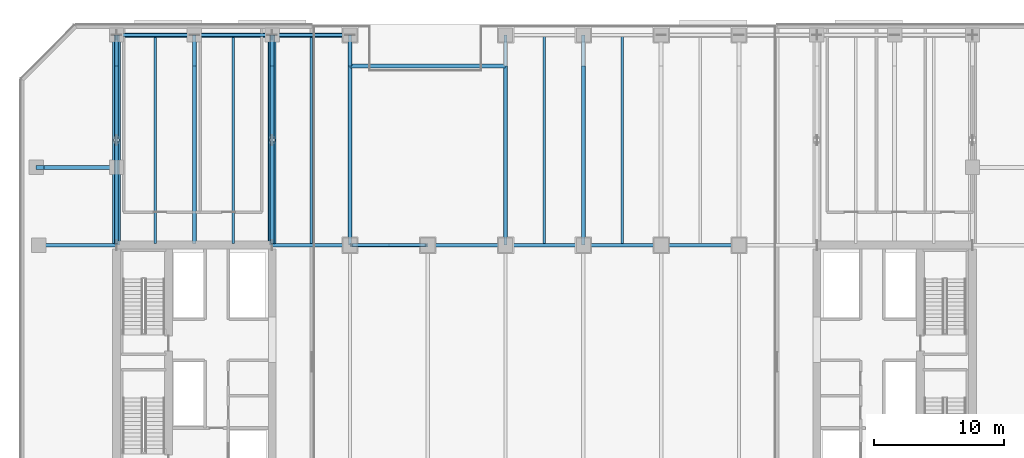
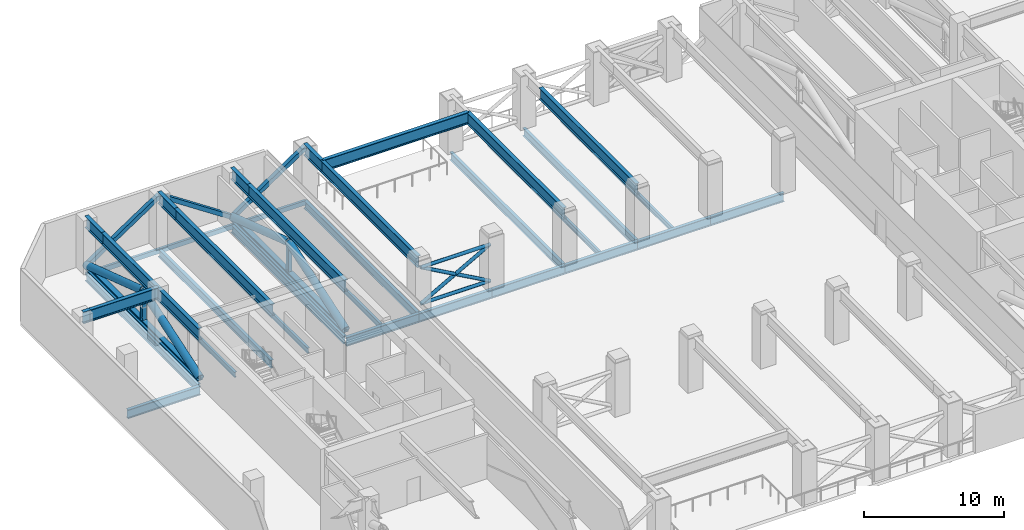
# One storey, part 4 of 22: 34 beams, 15 members.
"""IFC4 building model written with IfcOpenShell, lengths in metres."""

from ifc_helpers import new_model, si_unit, direction, frame, origin, origin_2d, place, context, subcontext, project, spatial, hollow_rectangle, hollow_circle, i_section, extrude, material, material_profile, profile_set, type_object, element, save


model = new_model("IFC4")

# Units and contexts
model_context = context("Model", 3, precision=1e-05, world=origin(), true_north=direction((0.0, 1.0)))
body_context = subcontext(model_context, "Body", "Model", "MODEL_VIEW")
ifc_project = project(units=[si_unit("LENGTHUNIT", "METRE"), si_unit("AREAUNIT", "SQUARE_METRE"), si_unit("VOLUMEUNIT", "CUBIC_METRE"), si_unit("PLANEANGLEUNIT", "RADIAN"), si_unit("MASSUNIT", "GRAM", prefix="KILO")], contexts=[model_context])

# Site, building, storey
site_placement = place(None, origin())
site = spatial("IfcSite", under=ifc_project, at=site_placement, CompositionType="ELEMENT")
building_placement = place(site_placement, origin())
building = spatial("IfcBuilding", under=site, at=building_placement, Name="Tanjung Sevakor Pilgrim Tower", CompositionType="ELEMENT")
storey_placement = place(building_placement, frame((0.0, 0.0, 73.260009765625)))
storey = spatial("IfcBuildingStorey", under=building, at=storey_placement, Name="L20", CompositionType="ELEMENT", Elevation=73.260009765625)

# Beams
ifc_material_1 = material(Name="Steel S355J2", Category="steel")
ifc_material_profile_1 = material_profile(ifc_material_1, i_section(OverallWidth=0.26806640625, OverallDepth=0.769775390625, WebThickness=0.015625, FlangeThickness=0.025390625, FilletRadius=0.0166015625, at=origin_2d()))
ifc_profile_set_1 = profile_set([ifc_material_profile_1], Name="Steel S355J2")
beam_type_1 = type_object("IfcBeamType", Name="BM-B-G1-UB_762x267x197", PredefinedType="BEAM", material=ifc_profile_set_1)
for number, where, z_axis, x_axis, name in (
    (1, (18.0, 42.60009765625, -0.664794921875), (1.0, 0.0, 0.0), (0.0, 1.0, 0.0), "L20 Primary Floor Girder MAIN Y426-01"),
    (2, (36.0, 42.60009765625, -0.664794921875), (1.0, 0.0, 0.0), (0.0, 1.0, 0.0), "L20 Primary Floor Girder MAIN Y426-02"),
    (3, (42.0, 42.60009765625, -0.664794921875), (1.0, 0.0, 0.0), (0.0, 1.0, 0.0), "L20 Primary Floor Girder MAIN Y426-03"),
    (4, (48.0, 42.60009765625, -0.664794921875), (1.0, 0.0, 0.0), (0.0, 1.0, 0.0), "L20 Primary Floor Girder MAIN Y426-04"),
    (5, (54.0, 42.60009765625, -0.664794921875), (1.0, 0.0, 0.0), (0.0, 1.0, 0.0), "L20 Primary Floor Girder MAIN Y426-05"),
    (6, (60.0, 42.60009765625, -0.664794921875), (1.0, 0.0, 0.0), (0.0, 1.0, 0.0), "L20 Primary Floor Girder MAIN Y426-06"),
    (7, (66.0, 42.60009765625, -0.664794921875), (1.0, 0.0, 0.0), (0.0, 1.0, 0.0), "L20 Primary Floor Girder MAIN Y426-07"),
):
    element("IfcBeam", number, at=place(storey_placement, frame(where, z_axis=z_axis, x_axis=x_axis)), inside=storey, type_object=beam_type_1, Name=name, PredefinedType="BEAM", context=body_context, shape_type="SweptSolid", body=[
        extrude(i_section(OverallWidth=0.26806640625, OverallDepth=0.769775390625, WebThickness=0.015625, FlangeThickness=0.025390625, FilletRadius=0.0166015625, at=origin_2d()), origin(), (0.0, 0.0, 1.0), 6.0),
    ])
ifc_material_2 = material(Name="Steel S355J2", Category="steel")
ifc_material_profile_2 = material_profile(ifc_material_2, i_section(OverallWidth=0.25439453125, OverallDepth=0.6875, WebThickness=0.01318359375, FlangeThickness=0.02099609375, FilletRadius=0.01513671875, at=origin_2d()))
ifc_profile_set_2 = profile_set([ifc_material_profile_2], Name="Steel S355J2")
beam_type_2 = type_object("IfcBeamType", Name="BM-B-G2-UB_686x254x152", PredefinedType="BEAM", material=ifc_profile_set_2)
for number, where, z_axis, x_axis, name in (
    (8, (24.0, 42.73388671875, -0.623779296875), (0.0, 1.0, 0.0), (-1.0, 0.0, 0.0), "L20 MAIN Girder 002"),
    (9, (30.0, 42.73388671875, -0.623779296875), (0.0, 1.0, 0.0), (-1.0, 0.0, 0.0), "L20 MAIN Girder 006"),
    (10, (36.0, 42.73388671875, -0.623779296875), (0.0, 1.0, 0.0), (-1.0, 0.0, 0.0), "L20 MAIN Girder 010"),
):
    element("IfcBeam", number, at=place(storey_placement, frame(where, z_axis=z_axis, x_axis=x_axis)), inside=storey, type_object=beam_type_2, Name=name, PredefinedType="BEAM", context=body_context, shape_type="SweptSolid", body=[
        extrude(i_section(OverallWidth=0.25439453125, OverallDepth=0.6875, WebThickness=0.01318359375, FlangeThickness=0.02099609375, FilletRadius=0.01513671875, at=origin_2d()), origin(), (0.0, 0.0, 1.0), 16.066162109375),
    ])
for number, where, z_axis, x_axis, name in (
    (11, (42.0, 42.60009765625, -0.623779296875), (0.0, 1.0, 0.0), (-1.0, 0.0, 0.0), "L20 MAIN Girder 015"),
    (12, (54.0, 42.60009765625, -0.623779296875), (0.0, 1.0, 0.0), (-1.0, 0.0, 0.0), "L20 MAIN Girder 019"),
    (13, (60.0, 42.60009765625, -0.623779296875), (0.0, 1.0, 0.0), (-1.0, 0.0, 0.0), "L20 MAIN Girder 024"),
):
    element("IfcBeam", number, at=place(storey_placement, frame(where, z_axis=z_axis, x_axis=x_axis)), inside=storey, type_object=beam_type_2, Name=name, PredefinedType="BEAM", context=body_context, shape_type="SweptSolid", body=[
        extrude(i_section(OverallWidth=0.25439453125, OverallDepth=0.6875, WebThickness=0.01318359375, FlangeThickness=0.02099609375, FilletRadius=0.01513671875, at=origin_2d()), origin(), (0.0, 0.0, 1.0), 16.199951171875),
    ])
ifc_material_3 = material(Name="Steel S460M", Category="steel")
ifc_material_profile_3 = material_profile(ifc_material_3, i_section(OverallWidth=0.302001953125, OverallDepth=1.008056640625, WebThickness=0.02099609375, FlangeThickness=0.0400390625, FilletRadius=0.030029296875, at=origin_2d()))
ifc_profile_set_3 = profile_set([ifc_material_profile_3], Name="Steel S460M")
beam_type_3 = type_object("IfcBeamType", Name="BM-B-G7-HE_1000M", PredefinedType="BEAM", material=ifc_profile_set_3)
beam_1_placement = place(storey_placement, frame((17.800048828125, 48.60009765625, 4.166015625), z_axis=(1.0, 0.0, 0.0), x_axis=(0.0, 1.0, 0.0)))
element("IfcBeam", 14, at=beam_1_placement, inside=storey, type_object=beam_type_3, Name="L20 Short-End Setback Transfer Girder W Y48.6-1", PredefinedType="BEAM", context=body_context, shape_type="SweptSolid", body=[
    extrude(i_section(OverallWidth=0.302001953125, OverallDepth=1.008056640625, WebThickness=0.02099609375, FlangeThickness=0.0400390625, FilletRadius=0.030029296875, at=origin_2d()), origin(), (0.0, 0.0, 1.0), 0.599853515625),
])
beam_2_placement = place(storey_placement, frame((18.39990234375, 48.60009765625, 4.166015625), z_axis=(1.0, 0.0, 0.0), x_axis=(0.0, 1.0, 0.0)))
element("IfcBeam", 15, at=beam_2_placement, inside=storey, type_object=beam_type_3, Name="L20 Short-End Setback Transfer Girder W Y48.6-2", PredefinedType="BEAM", context=body_context, shape_type="SweptSolid", body=[
    extrude(i_section(OverallWidth=0.302001953125, OverallDepth=1.008056640625, WebThickness=0.02099609375, FlangeThickness=0.0400390625, FilletRadius=0.030029296875, at=origin_2d()), origin(), (0.0, 0.0, 1.0), 5.60009765625),
])
beam_3_placement = place(storey_placement, frame((42.0, 56.39990234375, 4.166015625), z_axis=(1.0, 0.0, 0.0), x_axis=(0.0, 1.0, 0.0)))
element("IfcBeam", 16, at=beam_3_placement, inside=storey, type_object=beam_type_3, Name="L20 Setback Ring Transfer Girder N-01", PredefinedType="BEAM", context=body_context, shape_type="SweptSolid", body=[
    extrude(i_section(OverallWidth=0.302001953125, OverallDepth=1.008056640625, WebThickness=0.02099609375, FlangeThickness=0.0400390625, FilletRadius=0.030029296875, at=origin_2d()), origin(), (0.0, 0.0, 1.0), 12.0),
])
beam_4_placement = place(storey_placement, frame((24.0, 42.60009765625, 4.166015625), z_axis=(0.0, 1.0, 0.0), x_axis=(-1.0, 0.0, 0.0)))
element("IfcBeam", 17, at=beam_4_placement, inside=storey, type_object=beam_type_3, Name="L20 Setback Transfer Girder North X24-1", PredefinedType="BEAM", context=body_context, shape_type="SweptSolid", body=[
    extrude(i_section(OverallWidth=0.302001953125, OverallDepth=1.008056640625, WebThickness=0.02099609375, FlangeThickness=0.0400390625, FilletRadius=0.030029296875, at=origin_2d()), origin(), (0.0, 0.0, 1.0), 13.7998046875),
])
beam_5_placement = place(storey_placement, frame((24.0, 56.39990234375, 4.166015625), z_axis=(0.0, 1.0, 0.0), x_axis=(-1.0, 0.0, 0.0)))
element("IfcBeam", 18, at=beam_5_placement, inside=storey, type_object=beam_type_3, Name="L20 Setback Transfer Girder North X24-2", PredefinedType="BEAM", context=body_context, shape_type="SweptSolid", body=[
    extrude(i_section(OverallWidth=0.302001953125, OverallDepth=1.008056640625, WebThickness=0.02099609375, FlangeThickness=0.0400390625, FilletRadius=0.030029296875, at=origin_2d()), origin(), (0.0, 0.0, 1.0), 2.400146484375),
])
beam_6_placement = place(storey_placement, frame((30.0, 42.60009765625, 4.166015625), z_axis=(0.0, 1.0, 0.0), x_axis=(-1.0, 0.0, 0.0)))
element("IfcBeam", 19, at=beam_6_placement, inside=storey, type_object=beam_type_3, Name="L20 Setback Transfer Girder North X30-1", PredefinedType="BEAM", context=body_context, shape_type="SweptSolid", body=[
    extrude(i_section(OverallWidth=0.302001953125, OverallDepth=1.008056640625, WebThickness=0.02099609375, FlangeThickness=0.0400390625, FilletRadius=0.030029296875, at=origin_2d()), origin(), (0.0, 0.0, 1.0), 13.7998046875),
])
beam_7_placement = place(storey_placement, frame((30.0, 56.39990234375, 4.166015625), z_axis=(0.0, 1.0, 0.0), x_axis=(-1.0, 0.0, 0.0)))
element("IfcBeam", 20, at=beam_7_placement, inside=storey, type_object=beam_type_3, Name="L20 Setback Transfer Girder North X30-2", PredefinedType="BEAM", context=body_context, shape_type="SweptSolid", body=[
    extrude(i_section(OverallWidth=0.302001953125, OverallDepth=1.008056640625, WebThickness=0.02099609375, FlangeThickness=0.0400390625, FilletRadius=0.030029296875, at=origin_2d()), origin(), (0.0, 0.0, 1.0), 2.400146484375),
])
beam_8_placement = place(storey_placement, frame((36.0, 42.60009765625, 4.166015625), z_axis=(0.0, 1.0, 0.0), x_axis=(-1.0, 0.0, 0.0)))
element("IfcBeam", 21, at=beam_8_placement, inside=storey, type_object=beam_type_3, Name="L20 Setback Transfer Girder North X36-1", PredefinedType="BEAM", context=body_context, shape_type="SweptSolid", body=[
    extrude(i_section(OverallWidth=0.302001953125, OverallDepth=1.008056640625, WebThickness=0.02099609375, FlangeThickness=0.0400390625, FilletRadius=0.030029296875, at=origin_2d()), origin(), (0.0, 0.0, 1.0), 13.7998046875),
])
beam_9_placement = place(storey_placement, frame((36.0, 56.39990234375, 4.166015625), z_axis=(0.0, 1.0, 0.0), x_axis=(-1.0, 0.0, 0.0)))
element("IfcBeam", 22, at=beam_9_placement, inside=storey, type_object=beam_type_3, Name="L20 Setback Transfer Girder North X36-2", PredefinedType="BEAM", context=body_context, shape_type="SweptSolid", body=[
    extrude(i_section(OverallWidth=0.302001953125, OverallDepth=1.008056640625, WebThickness=0.02099609375, FlangeThickness=0.0400390625, FilletRadius=0.030029296875, at=origin_2d()), origin(), (0.0, 0.0, 1.0), 2.400146484375),
])
beam_10_placement = place(storey_placement, frame((42.0, 42.60009765625, 4.166015625), z_axis=(0.0, 1.0, 0.0), x_axis=(-1.0, 0.0, 0.0)))
element("IfcBeam", 23, at=beam_10_placement, inside=storey, type_object=beam_type_3, Name="L20 Setback Transfer Girder North X42-1", PredefinedType="BEAM", context=body_context, shape_type="SweptSolid", body=[
    extrude(i_section(OverallWidth=0.302001953125, OverallDepth=1.008056640625, WebThickness=0.02099609375, FlangeThickness=0.0400390625, FilletRadius=0.030029296875, at=origin_2d()), origin(), (0.0, 0.0, 1.0), 13.7998046875),
])
beam_11_placement = place(storey_placement, frame((42.0, 56.39990234375, 4.166015625), z_axis=(0.0, 1.0, 0.0), x_axis=(-1.0, 0.0, 0.0)))
element("IfcBeam", 24, at=beam_11_placement, inside=storey, type_object=beam_type_3, Name="L20 Setback Transfer Girder North X42-2", PredefinedType="BEAM", context=body_context, shape_type="SweptSolid", body=[
    extrude(i_section(OverallWidth=0.302001953125, OverallDepth=1.008056640625, WebThickness=0.02099609375, FlangeThickness=0.0400390625, FilletRadius=0.030029296875, at=origin_2d()), origin(), (0.0, 0.0, 1.0), 2.400146484375),
])
for number, where, z_axis, x_axis, name in (
    (25, (54.0, 42.60009765625, 4.166015625), (0.0, 1.0, 0.0), (-1.0, 0.0, 0.0), "L20 Setback Transfer Girder North X54-1"),
    (26, (60.0, 42.60009765625, 4.166015625), (0.0, 1.0, 0.0), (-1.0, 0.0, 0.0), "L20 Setback Transfer Girder North X60-1"),
):
    element("IfcBeam", number, at=place(storey_placement, frame(where, z_axis=z_axis, x_axis=x_axis)), inside=storey, type_object=beam_type_3, Name=name, PredefinedType="BEAM", context=body_context, shape_type="SweptSolid", body=[
        extrude(i_section(OverallWidth=0.302001953125, OverallDepth=1.008056640625, WebThickness=0.02099609375, FlangeThickness=0.0400390625, FilletRadius=0.030029296875, at=origin_2d()), origin(), (0.0, 0.0, 1.0), 13.7998046875),
    ])
ifc_material_4 = material(Name="Steel S355J2", Category="steel")
ifc_material_profile_4 = material_profile(ifc_material_4, i_section(OverallWidth=0.19140625, OverallDepth=0.4599609375, WebThickness=0.010009765625, FlangeThickness=0.01611328125, FilletRadius=0.01025390625, at=origin_2d()))
ifc_profile_set_4 = profile_set([ifc_material_profile_4], Name="Steel S355J2")
beam_type_4 = type_object("IfcBeamType", Name="BM-B-J2-UB_457x191x82", PredefinedType="JOIST", material=ifc_profile_set_4)
for number, where, z_axis, x_axis, name in (
    (27, (27.0, 42.73388671875, -0.510009765625), (0.0, 1.0, 0.0), (-1.0, 0.0, 0.0), "L20 MAIN Joist 004"),
    (28, (33.0, 42.73388671875, -0.510009765625), (0.0, 1.0, 0.0), (-1.0, 0.0, 0.0), "L20 MAIN Joist 008"),
    (29, (39.0, 42.73388671875, -0.510009765625), (0.0, 1.0, 0.0), (-1.0, 0.0, 0.0), "L20 MAIN Joist 012"),
    (30, (57.0, 42.73388671875, -0.510009765625), (0.0, 1.0, 0.0), (-1.0, 0.0, 0.0), "L20 MAIN Joist 021"),
    (31, (63.0, 42.73388671875, -0.510009765625), (0.0, 1.0, 0.0), (-1.0, 0.0, 0.0), "L20 MAIN Joist 026"),
):
    element("IfcBeam", number, at=place(storey_placement, frame(where, z_axis=z_axis, x_axis=x_axis)), inside=storey, type_object=beam_type_4, Name=name, PredefinedType="JOIST", context=body_context, shape_type="SweptSolid", body=[
        extrude(i_section(OverallWidth=0.19140625, OverallDepth=0.4599609375, WebThickness=0.010009765625, FlangeThickness=0.01611328125, FilletRadius=0.01025390625, at=origin_2d()), origin(), (0.0, 0.0, 1.0), 15.966064453125),
    ])
ifc_material_5 = material(Name="Steel S355J2", Category="steel")
ifc_material_profile_5 = material_profile(ifc_material_5, hollow_rectangle(XDim=0.199951171875, YDim=0.39990234375, WallThickness=0.01611328125, at=origin_2d()))
ifc_profile_set_5 = profile_set([ifc_material_profile_5], Name="Steel S355J2")
beam_type_5 = type_object("IfcBeamType", Name="BM-B-SP2-RHS_400x200x16", PredefinedType="SPANDREL", material=ifc_profile_set_5)
for number, where, z_axis, x_axis, name in (
    (32, (24.0, 58.800048828125, -0.47998046875), (1.0, 0.0, 0.0), (0.0, 1.0, 0.0), "L20 Spandrel MAIN N-02"),
    (33, (30.0, 58.800048828125, -0.47998046875), (1.0, 0.0, 0.0), (0.0, 1.0, 0.0), "L20 Spandrel MAIN N-04"),
    (34, (36.0, 58.800048828125, -0.47998046875), (1.0, 0.0, 0.0), (0.0, 1.0, 0.0), "L20 Spandrel MAIN N-06"),
):
    element("IfcBeam", number, at=place(storey_placement, frame(where, z_axis=z_axis, x_axis=x_axis)), inside=storey, type_object=beam_type_5, Name=name, PredefinedType="SPANDREL", context=body_context, shape_type="SweptSolid", body=[
        extrude(hollow_rectangle(XDim=0.199951171875, YDim=0.39990234375, WallThickness=0.01611328125, at=origin_2d()), origin(), (0.0, 0.0, 1.0), 6.0),
    ])

# Members
ifc_material_6 = material(Name="Steel S460M", Category="steel")
ifc_material_profile_6 = material_profile(ifc_material_6, hollow_circle(Radius=0.304931640625, WallThickness=0.030029296875, at=origin_2d()))
ifc_profile_set_6 = profile_set([ifc_material_profile_6], Name="Steel S460M")
member_type_1 = type_object("IfcMemberType", Name="MEM-M-BR2-CHS_610x30", PredefinedType="BRACE", material=ifc_profile_set_6)
member_1_placement = place(storey_placement, frame((24.0, 42.60009765625, 0.35009765625), z_axis=(0.0, 0.949034554742, 0.315172038585), x_axis=(-1.0, 0.0, 0.0)))
element("IfcMember", 35, at=member_1_placement, inside=storey, type_object=member_type_1, Name="OT-2 L20 Outrigger Truss Diagonal 1 X24 N", PredefinedType="BRACE", context=body_context, shape_type="SweptSolid", body=[
    extrude(hollow_circle(Radius=0.304931640625, WallThickness=0.030029296875, at=origin_2d()), origin(), (0.0, 0.0, 1.0), 8.534912109375),
])
member_2_placement = place(storey_placement, frame((24.0, 50.699951171875, 3.0400390625), z_axis=(0.0, 0.949037396078, -0.315163482729), x_axis=(-1.0, 0.0, 0.0)))
element("IfcMember", 36, at=member_2_placement, inside=storey, type_object=member_type_1, Name="OT-2 L20 Outrigger Truss Diagonal 2 X24 N", PredefinedType="BRACE", context=body_context, shape_type="SweptSolid", body=[
    extrude(hollow_circle(Radius=0.304931640625, WallThickness=0.030029296875, at=origin_2d()), origin(), (0.0, 0.0, 1.0), 8.53515625),
])
member_3_placement = place(storey_placement, frame((36.0, 42.60009765625, 0.35009765625), z_axis=(0.0, 0.949034554742, 0.315172038585), x_axis=(-1.0, 0.0, 0.0)))
element("IfcMember", 37, at=member_3_placement, inside=storey, type_object=member_type_1, Name="OT-2 L20 Outrigger Truss Diagonal 1 X36 N", PredefinedType="BRACE", context=body_context, shape_type="SweptSolid", body=[
    extrude(hollow_circle(Radius=0.304931640625, WallThickness=0.030029296875, at=origin_2d()), origin(), (0.0, 0.0, 1.0), 8.534912109375),
])
member_4_placement = place(storey_placement, frame((36.0, 50.699951171875, 3.0400390625), z_axis=(0.0, 0.949037396078, -0.315163482729), x_axis=(-1.0, 0.0, 0.0)))
element("IfcMember", 38, at=member_4_placement, inside=storey, type_object=member_type_1, Name="OT-2 L20 Outrigger Truss Diagonal 2 X36 N", PredefinedType="BRACE", context=body_context, shape_type="SweptSolid", body=[
    extrude(hollow_circle(Radius=0.304931640625, WallThickness=0.030029296875, at=origin_2d()), origin(), (0.0, 0.0, 1.0), 8.53515625),
])
ifc_material_7 = material(Name="Steel S460M", Category="steel")
ifc_material_profile_7 = material_profile(ifc_material_7, hollow_rectangle(XDim=0.35009765625, YDim=0.35009765625, WallThickness=0.01611328125, at=origin_2d()))
ifc_profile_set_7 = profile_set([ifc_material_profile_7], Name="Steel S460M")
member_type_2 = type_object("IfcMemberType", Name="MEM-M-BR7-SHS_350x350x16", PredefinedType="BRACE", material=ifc_profile_set_7)
for number, where, z_axis, x_axis, name in (
    (39, (24.0, 58.800048828125, 0.35009765625), (0.832956473164, 0.0, 0.553338516474), (0.0, 1.0, 0.0), "BT-1 L20 Belt Truss Diagonal Brace N-01"),
    (40, (30.0, 58.800048828125, 4.3359375), (0.832956473164, 0.0, -0.553338516474), (0.0, 1.0, 0.0), "BT-1 L20 Belt Truss Diagonal Brace N-02"),
    (41, (36.0, 58.800048828125, 0.35009765625), (0.832956473164, 0.0, 0.553338516474), (0.0, 1.0, 0.0), "BT-1 L20 Belt Truss Diagonal Brace N-03"),
):
    element("IfcMember", number, at=place(storey_placement, frame(where, z_axis=z_axis, x_axis=x_axis)), inside=storey, type_object=member_type_2, Name=name, PredefinedType="BRACE", context=body_context, shape_type="SweptSolid", body=[
        extrude(hollow_rectangle(XDim=0.35009765625, YDim=0.35009765625, WallThickness=0.01611328125, at=origin_2d()), origin(), (0.0, 0.0, 1.0), 7.203369140625),
    ])
ifc_material_8 = material(Name="Steel S460M", Category="steel")
ifc_material_profile_8 = material_profile(ifc_material_8, i_section(OverallWidth=0.41845703125, OverallDepth=0.45556640625, WebThickness=0.0419921875, FlangeThickness=0.0673828125, FilletRadius=0.01513671875, at=origin_2d()))
ifc_profile_set_8 = profile_set([ifc_material_profile_8], Name="Steel S460M")
member_type_3 = type_object("IfcMemberType", Name="MEM-M-CH2-UC_356x406x551", PredefinedType="CHORD", material=ifc_profile_set_8)
for number, where, z_axis, x_axis, name in (
    (42, (24.0, 42.60009765625, 0.35009765625), (0.0, 1.0, 0.0), (-1.0, 0.0, 0.0), "OT-1 L20 Outrigger Truss Chord X24 N"),
    (43, (36.0, 42.60009765625, 0.35009765625), (0.0, 1.0, 0.0), (-1.0, 0.0, 0.0), "OT-1 L20 Outrigger Truss Chord X36 N"),
):
    element("IfcMember", number, at=place(storey_placement, frame(where, z_axis=z_axis, x_axis=x_axis)), inside=storey, type_object=member_type_3, Name=name, PredefinedType="CHORD", context=body_context, shape_type="SweptSolid", body=[
        extrude(i_section(OverallWidth=0.41845703125, OverallDepth=0.45556640625, WebThickness=0.0419921875, FlangeThickness=0.0673828125, FilletRadius=0.01513671875, at=origin_2d()), origin(), (0.0, 0.0, 1.0), 16.199951171875),
    ])
ifc_material_9 = material(Name="Steel S460M", Category="steel")
ifc_material_profile_9 = material_profile(ifc_material_9, i_section(OverallWidth=0.314453125, OverallDepth=0.33984375, WebThickness=0.01904296875, FlangeThickness=0.031494140625, FilletRadius=0.01513671875, at=origin_2d()))
ifc_profile_set_9 = profile_set([ifc_material_profile_9], Name="Steel S460M")
member_type_4 = type_object("IfcMemberType", Name="MEM-M-ST2-UC_305x305x198", PredefinedType="STRUT", material=ifc_profile_set_9)
for number, where, z_axis, x_axis, name in (
    (44, (24.0, 50.699951171875, 0.35009765625), (0.0, 0.0, 1.0), (1.0, 0.0, 0.0), "OT-3 L20 Outrigger Truss Strut X24 N"),
    (45, (36.0, 50.699951171875, 0.35009765625), (0.0, 0.0, 1.0), (1.0, 0.0, 0.0), "OT-3 L20 Outrigger Truss Strut X36 N"),
):
    element("IfcMember", number, at=place(storey_placement, frame(where, z_axis=z_axis, x_axis=x_axis)), inside=storey, type_object=member_type_4, Name=name, PredefinedType="STRUT", context=body_context, shape_type="SweptSolid", body=[
        extrude(i_section(OverallWidth=0.314453125, OverallDepth=0.33984375, WebThickness=0.01904296875, FlangeThickness=0.031494140625, FilletRadius=0.01513671875, at=origin_2d()), origin(), (0.0, 0.0, 1.0), 2.68994140625),
    ])
ifc_material_10 = material(Name="Steel S355J2", Category="steel")
ifc_material_profile_10 = material_profile(ifc_material_10, hollow_circle(Radius=0.136474609375, WallThickness=0.012451171875, at=origin_2d()))
ifc_profile_set_10 = profile_set([ifc_material_profile_10], Name="Steel S355J2")
member_type_5 = type_object("IfcMemberType", Name="TYPE-MB-TURBINE", PredefinedType="USERDEFINED", material=ifc_profile_set_10)
for number, where, z_axis, x_axis, name in (
    (46, (42.14990234375, 42.60009765625, 0.449951171875), (1.0, 0.0, 0.0), (0.0, 1.0, 0.0), "L20 Wind Turbine Shroud BOT WTURB-L20-N1"),
    (47, (42.14990234375, 42.60009765625, 3.619873046875), (1.0, 0.0, 0.0), (0.0, 1.0, 0.0), "L20 Wind Turbine Shroud TOP WTURB-L20-N1"),
):
    element("IfcMember", number, at=place(storey_placement, frame(where, z_axis=z_axis, x_axis=x_axis)), inside=storey, type_object=member_type_5, Name=name, ObjectType="TURBINE_FRAME", PredefinedType="USERDEFINED", context=body_context, shape_type="SweptSolid", body=[
        extrude(hollow_circle(Radius=0.136474609375, WallThickness=0.012451171875, at=origin_2d()), origin(), (0.0, 0.0, 1.0), 5.7001953125),
    ])
for number, where, z_axis, x_axis, name in (
    (48, (42.14990234375, 42.60009765625, 0.449951171875), (0.87395238411, 0.0, 0.486011553678), (0.0, 1.0, 0.0), "L20 Wind Turbine Shroud BL1 WTURB-L20-N1"),
    (49, (42.14990234375, 42.60009765625, 3.619873046875), (0.87395238411, 0.0, -0.486011553678), (0.0, 1.0, 0.0), "L20 Wind Turbine Shroud BL2 WTURB-L20-N1"),
):
    element("IfcMember", number, at=place(storey_placement, frame(where, z_axis=z_axis, x_axis=x_axis)), inside=storey, type_object=member_type_5, Name=name, ObjectType="TURBINE_FRAME", PredefinedType="USERDEFINED", context=body_context, shape_type="SweptSolid", body=[
        extrude(hollow_circle(Radius=0.136474609375, WallThickness=0.012451171875, at=origin_2d()), origin(), (0.0, 0.0, 1.0), 6.522216796875),
    ])

save(model, "model.ifc")
